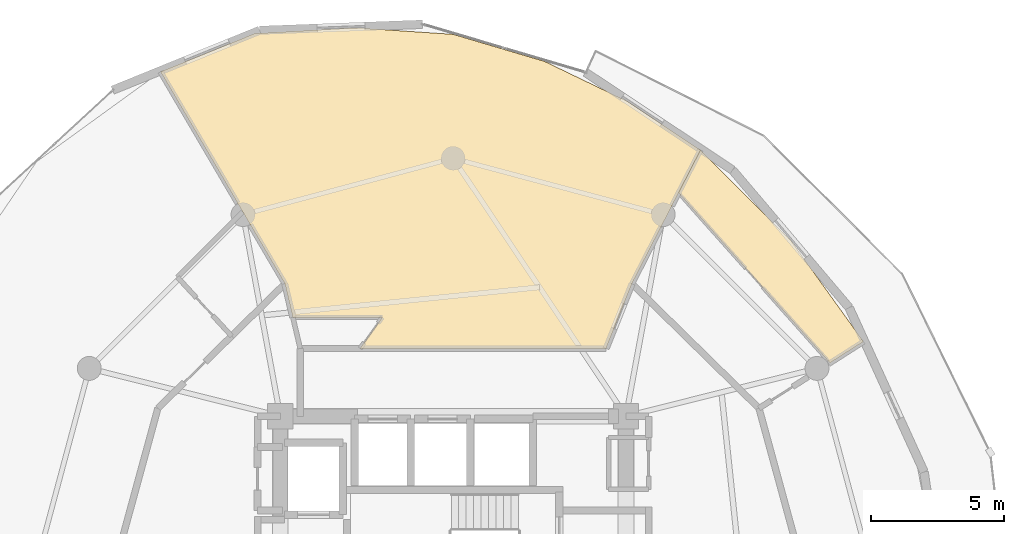
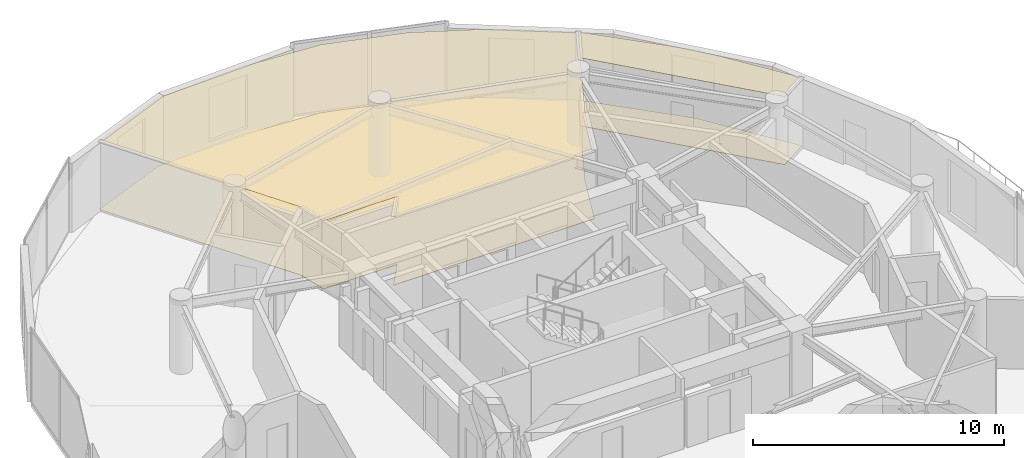
# One storey, part 24 of 24: 4 coverings.
"""IFC4 building model written with IfcOpenShell, lengths in metres."""

from ifc_helpers import new_model, si_unit, direction, frame, origin, place, context, subcontext, project, spatial, polyline, outline, extrude, material, layer, layer_set, type_object, element, save


model = new_model("IFC4")

# Units and contexts
model_context = context("Model", 3, precision=1e-05, world=origin(), true_north=direction((0.0, 1.0)))
body_context = subcontext(model_context, "Body", "Model", "MODEL_VIEW")
ifc_project = project(units=[si_unit("LENGTHUNIT", "METRE"), si_unit("AREAUNIT", "SQUARE_METRE"), si_unit("VOLUMEUNIT", "CUBIC_METRE"), si_unit("PLANEANGLEUNIT", "RADIAN"), si_unit("MASSUNIT", "GRAM", prefix="KILO")], contexts=[model_context])

# Site, building, storey
site_placement = place(None, origin())
site = spatial("IfcSite", under=ifc_project, at=site_placement, CompositionType="ELEMENT")
building_placement = place(site_placement, origin())
building = spatial("IfcBuilding", under=site, at=building_placement, Name="Solvirekh Grand Hotel", CompositionType="ELEMENT")
storey_placement = place(building_placement, frame((0.0, 0.0, 184.0)))
storey = spatial("IfcBuildingStorey", under=building, at=storey_placement, Name="L47", CompositionType="ELEMENT", Elevation=184.0)

# Coverings
ifc_material_1 = material(Name="Acoustic Mineral Ceiling Tile")
ifc_layer_1 = layer(ifc_material_1, 0.02490234375)
ifc_layer_set_1 = layer_set([ifc_layer_1], Name="Acoustic Mineral Ceiling Tile")
covering_type_1 = type_object("IfcCoveringType", Name="Cov_Ceiling_Acoustic", PredefinedType="CEILING", material=ifc_layer_set_1)
covering_1_placement = place(storey_placement, frame((0.0, 0.0, 3.31005859375)))
element("IfcCovering", 1, at=covering_1_placement, inside=storey, type_object=covering_type_1, Name="L47 Panorama Suite 4901 acoustic ceiling", PredefinedType="CEILING", context=body_context, shape_type="SweptSolid", body=[
    extrude(outline(polyline([(-5.75, 8.64990234375), (-6.02587890625, 9.819091796875), (-2.6640625, 9.819091796875), (-3.5, 8.64990234375), (5.75, 8.64990234375), (6.72509765625, 11.0849609375), (9.301025390625, 16.110107421875), (6.532958984375, 17.950927734375), (3.428955078125, 19.447021484375), (0.0, 20.4619140625), (-3.65087890625, 20.70703125), (-7.458984375, 20.493896484375), (-11.0009765625, 19.053955078125), (-6.324951171875, 11.0849609375), (-5.75, 8.64990234375)])), origin(), (0.0, 0.0, 1.0), 0.017822265625),
])
covering_2_placement = place(storey_placement, frame((0.0, 0.0, 3.31005859375)))
element("IfcCovering", 2, at=covering_2_placement, inside=storey, type_object=covering_type_1, Name="L47 Diplomatic Suite 4903 Master Bedroom acoustic ceiling", PredefinedType="CEILING", context=body_context, shape_type="SweptSolid", body=[
    extrude(outline(polyline([(15.428955078125, 8.907958984375), (12.702880859375, 12.702880859375), (9.301025390625, 16.110107421875), (8.47705078125, 14.501953125), (14.172119140625, 8.10498046875), (15.428955078125, 8.907958984375)])), origin(), (0.0, 0.0, 1.0), 0.017822265625),
])
ifc_material_2 = material(Name="Porcelain Stoneware Flooring", Category="masonry")
ifc_layer_2 = layer(ifc_material_2, 0.030029296875)
ifc_layer_set_2 = layer_set([ifc_layer_2], Name="Porcelain Stoneware Flooring")
covering_type_2 = type_object("IfcCoveringType", Name="Cov_Floor_Stone", PredefinedType="FLOORING", material=ifc_layer_set_2)
covering_3_placement = place(storey_placement, origin())
element("IfcCovering", 3, at=covering_3_placement, inside=storey, type_object=covering_type_2, Name="L47 Panorama Suite 4901 polished granite flooring", PredefinedType="FLOORING", context=body_context, shape_type="SweptSolid", body=[
    extrude(outline(polyline([(-5.75, 8.64990234375), (-6.02587890625, 9.819091796875), (-2.6640625, 9.819091796875), (-3.5, 8.64990234375), (5.75, 8.64990234375), (6.72509765625, 11.0849609375), (9.301025390625, 16.110107421875), (6.532958984375, 17.950927734375), (3.428955078125, 19.447021484375), (0.0, 20.4619140625), (-3.65087890625, 20.70703125), (-7.458984375, 20.493896484375), (-11.0009765625, 19.053955078125), (-6.324951171875, 11.0849609375), (-5.75, 8.64990234375)])), origin(), (0.0, 0.0, 1.0), 0.02001953125),
])
covering_4_placement = place(storey_placement, origin())
element("IfcCovering", 4, at=covering_4_placement, inside=storey, type_object=covering_type_2, Name="L47 Diplomatic Suite 4903 Master Bedroom polished granite flooring", PredefinedType="FLOORING", context=body_context, shape_type="SweptSolid", body=[
    extrude(outline(polyline([(15.428955078125, 8.907958984375), (12.702880859375, 12.702880859375), (9.301025390625, 16.110107421875), (8.47705078125, 14.501953125), (14.172119140625, 8.10498046875), (15.428955078125, 8.907958984375)])), origin(), (0.0, 0.0, 1.0), 0.02001953125),
])

save(model, "model.ifc")
